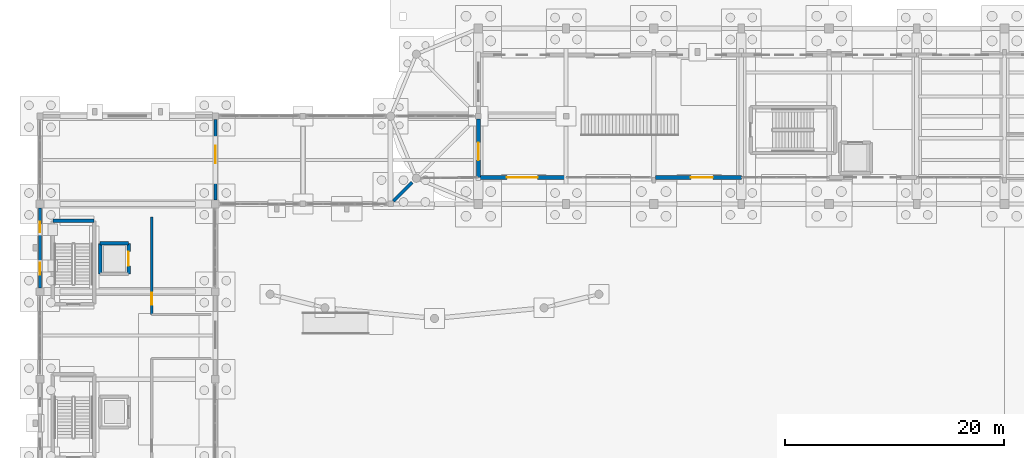
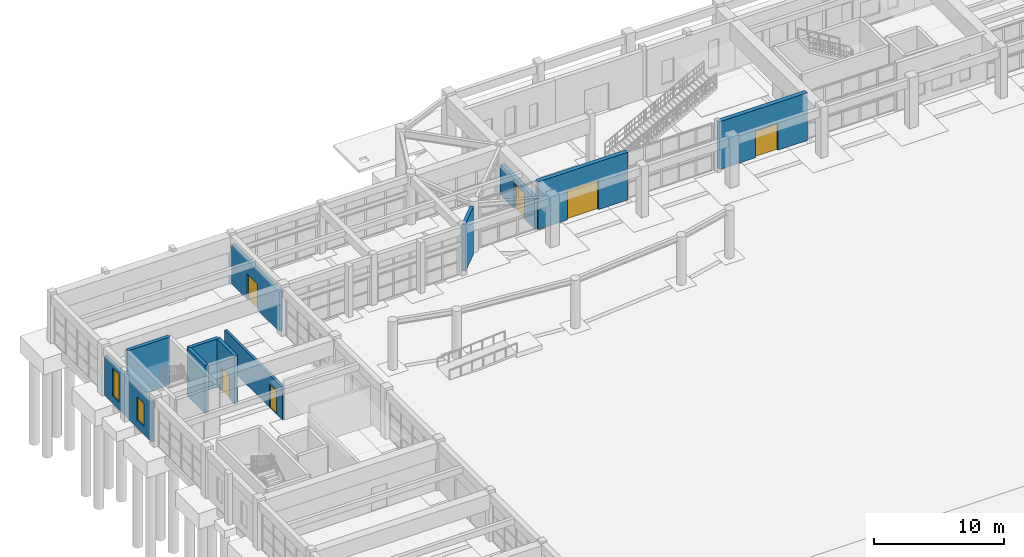
# One storey, part 44 of 68: 11 walls, 6 doors, 2 windows, 8 openings.
"""IFC4 building model written with IfcOpenShell, lengths in metres."""

from ifc_helpers import new_model, si_unit, direction, frame, frame_2d, origin, place, context, subcontext, project, spatial, rectangle, extrude, material, layer, layer_set, type_object, element, fill, save


model = new_model("IFC4")

# Units and contexts
model_context = context("Model", 3, precision=1e-05, world=origin(), true_north=direction((0.0, 1.0)))
body_context = subcontext(model_context, "Body", "Model", "MODEL_VIEW")
ifc_project = project(units=[si_unit("LENGTHUNIT", "METRE"), si_unit("AREAUNIT", "SQUARE_METRE"), si_unit("VOLUMEUNIT", "CUBIC_METRE"), si_unit("PLANEANGLEUNIT", "RADIAN"), si_unit("MASSUNIT", "GRAM", prefix="KILO")], contexts=[model_context])

# Site, building, storey
site_placement = place(None, origin())
site = spatial("IfcSite", under=ifc_project, at=site_placement, CompositionType="ELEMENT")
building_placement = place(site_placement, origin())
building = spatial("IfcBuilding", under=site, at=building_placement, Name="Serraluz Foothill Cableway Terminal", CompositionType="ELEMENT")
storey_placement = place(building_placement, origin())
storey = spatial("IfcBuildingStorey", under=building, at=storey_placement, Name="L00", CompositionType="ELEMENT", Elevation=0.0)

# Wall, openings, windows
ifc_material_1 = material(Name="Fired clay masonry brick (f'm 12 MPa)", Category="masonry")
ifc_layer_1 = layer(ifc_material_1, 0.260009765625, Name="Fired clay masonry brick (f'm 12 MPa)", Category="masonry")
ifc_layer_set_1 = layer_set([ifc_layer_1], Name="Fired clay masonry brick (f'm 12 MPa)")
wall_type_1 = type_object("IfcWallType", Name="TYP-WL-EXT-260", PredefinedType="STANDARD", material=ifc_layer_set_1)
wall_1_placement = place(storey_placement, frame((0.0, 48.35009765625, 0.0), z_axis=(0.0, 0.0, 1.0), x_axis=(0.0, 1.0, 0.0)))
wall_1 = element("IfcWall", 1, at=wall_1_placement, inside=storey, type_object=wall_type_1, Name="Exterior Masonry Wall EW-V5W-L00-48", PredefinedType="STANDARD", context=body_context, shape_type="SweptSolid", body=[
    extrude(rectangle(XDim=7.2998046875, YDim=0.260009765625, at=frame_2d((3.64990234375, 0.0))), origin(), (0.0, 0.0, 1.0), 3.739990234375),
])
opening_1_placement = place(wall_1_placement, frame((1.201904296875, 0.0, 0.719970703125)))
opening_1 = element("IfcOpeningElement", 2, at=opening_1_placement, cuts=wall_1, Name="Opening W-04", PredefinedType="OPENING", context=body_context, shape_type="SweptSolid", body=[
    extrude(rectangle(XDim=1.10009765625, YDim=2.199951171875, at=frame_2d((0.550048828125, 1.10009765625))), frame((0.0, 0.14013671875, 0.0), z_axis=(0.0, -1.0, 0.0), x_axis=(1.0, 0.0, 0.0)), (0.0, 0.0, 1.0), 0.280029296875),
])
opening_2_placement = place(wall_1_placement, frame((5.072998046875, 0.0, 0.719970703125)))
opening_2 = element("IfcOpeningElement", 3, at=opening_2_placement, cuts=wall_1, Name="Opening W-03", PredefinedType="OPENING", context=body_context, shape_type="SweptSolid", body=[
    extrude(rectangle(XDim=0.949951171875, YDim=2.60009765625, at=frame_2d((0.47509765625, 1.300048828125))), frame((0.0, 0.14013671875, 0.0), z_axis=(0.0, -1.0, 0.0), x_axis=(1.0, 0.0, 0.0)), (0.0, 0.0, 1.0), 0.280029296875),
])
ifc_material_2 = material(Name="Laminated low-E safety glass", Category="glass")
window_type_1 = type_object("IfcWindowType", Name="TYP-WN-095X260", PartitioningType="SINGLE_PANEL", PredefinedType="WINDOW", material=ifc_material_2)
window_1_placement = place(opening_2_placement, origin())
window_1 = element("IfcWindow", 4, at=window_1_placement, inside=storey, type_object=window_type_1, Name="Exterior Window EW-V5W-L00-48-WN3", OverallHeight=2.60009765625, OverallWidth=0.949951171875, PartitioningType="SINGLE_PANEL", PredefinedType="WINDOW", context=body_context, shape_type="SweptSolid", body=[
    extrude(rectangle(XDim=0.949951171875, YDim=2.60009765625, at=frame_2d((0.47509765625, 1.300048828125))), frame((0.0, 0.030029296875, 0.0), z_axis=(0.0, -1.0, 0.0), x_axis=(1.0, 0.0, 0.0)), (0.0, 0.0, 1.0), 0.06005859375),
])
fill(opening_2, window_1)
window_type_2 = type_object("IfcWindowType", Name="TYP-WN-110X220", PartitioningType="SINGLE_PANEL", PredefinedType="WINDOW", material=ifc_material_2)
window_2_placement = place(opening_1_placement, origin())
window_2 = element("IfcWindow", 5, at=window_2_placement, inside=storey, type_object=window_type_2, Name="Exterior Window EW-V5W-L00-48-WN1", OverallHeight=2.199951171875, OverallWidth=1.10009765625, PartitioningType="SINGLE_PANEL", PredefinedType="WINDOW", context=body_context, shape_type="SweptSolid", body=[
    extrude(rectangle(XDim=1.10009765625, YDim=2.199951171875, at=frame_2d((0.550048828125, 1.10009765625))), frame((0.0, 0.030029296875, 0.0), z_axis=(0.0, -1.0, 0.0), x_axis=(1.0, 0.0, 0.0)), (0.0, 0.0, 1.0), 0.06005859375),
])
fill(opening_1, window_2)

# Wall, opening, door
ifc_layer_2 = layer(ifc_material_1, 0.280029296875, Name="Fired clay masonry brick (f'm 12 MPa)", Category="masonry")
ifc_layer_set_2 = layer_set([ifc_layer_2], Name="Fired clay masonry brick (f'm 12 MPa)")
wall_type_2 = type_object("IfcWallType", Name="TYP-WL-EXT-280", PredefinedType="STANDARD", material=ifc_layer_set_2)
wall_2_placement = place(storey_placement, frame((16.0, 63.72509765625, 0.0), z_axis=(0.0, 0.0, 1.0), x_axis=(0.0, -1.0, 0.0)))
wall_2 = element("IfcWall", 6, at=wall_2_placement, inside=storey, type_object=wall_type_2, Name="Exterior Masonry Wall EW-V5E-L00-56", PredefinedType="STANDARD", context=body_context, shape_type="SweptSolid", body=[
    extrude(rectangle(XDim=7.375, YDim=0.280029296875, at=frame_2d((3.6875, 0.0))), origin(), (0.0, 0.0, 1.0), 3.739990234375),
])
opening_3_placement = place(wall_2_placement, frame((2.39990234375, 0.0, 0.0)))
opening_3 = element("IfcOpeningElement", 7, at=opening_3_placement, cuts=wall_2, Name="Opening DT-03", PredefinedType="OPENING", context=body_context, shape_type="SweptSolid", body=[
    extrude(rectangle(XDim=1.60009765625, YDim=2.39990234375, at=frame_2d((0.800048828125, 1.199951171875))), frame((0.0, 0.14990234375, 0.0), z_axis=(0.0, -1.0, 0.0), x_axis=(1.0, 0.0, 0.0)), (0.0, 0.0, 1.0), 0.300048828125),
])
ifc_material_3 = material(Name="Architectural bronze alloy C28000", Category="aluminium")
door_type_1 = type_object("IfcDoorType", Name="TYP-DR-TER-1600", OperationType="DOUBLE_DOOR_SINGLE_SWING", PredefinedType="DOOR", material=ifc_material_3)
door_1_placement = place(opening_3_placement, origin())
door_1 = element("IfcDoor", 8, at=door_1_placement, inside=storey, type_object=door_type_1, Name="West Bridge V5 Door L00", OperationType="DOUBLE_DOOR_SINGLE_SWING", OverallHeight=2.39990234375, OverallWidth=1.60009765625, PredefinedType="DOOR", context=body_context, shape_type="SweptSolid", body=[
    extrude(rectangle(XDim=1.60009765625, YDim=2.39990234375, at=frame_2d((0.800048828125, 1.199951171875))), frame((0.0, 0.02490234375, 0.0), z_axis=(0.0, -1.0, 0.0), x_axis=(1.0, 0.0, 0.0)), (0.0, 0.0, 1.0), 0.050048828125),
])
fill(opening_3, door_1)

# Wall
wall_3_placement = place(storey_placement, frame((33.968017578125, 57.968017578125, 0.0), z_axis=(0.0, 0.0, 1.0), x_axis=(-0.707106781187, -0.707106781187, 0.0)))
element("IfcWall", 9, at=wall_3_placement, inside=storey, type_object=wall_type_2, Name="Exterior Masonry Wall EW-WLS-STEP-L00", PredefinedType="STANDARD", context=body_context, shape_type="SweptSolid", body=[
    extrude(rectangle(XDim=2.4296875, YDim=0.280029296875, at=frame_2d((1.21484375, 0.0))), origin(), (0.0, 0.0, 1.0), 4.5),
])

# Wall, opening, door
ifc_material_4 = material(Name="Dark clinker clay masonry brick (f'm 14 MPa)", Category="masonry")
ifc_layer_3 = layer(ifc_material_4, 0.3798828125, Name="Dark clinker clay masonry brick (f'm 14 MPa)", Category="masonry")
ifc_layer_set_3 = layer_set([ifc_layer_3], Name="Dark clinker clay masonry brick (f'm 14 MPa)")
wall_type_3 = type_object("IfcWallType", Name="TYP-WL-EXT-380", PredefinedType="STANDARD", material=ifc_layer_set_3)
wall_4_placement = place(storey_placement, frame((48.0, 58.39990234375, 0.0), z_axis=(0.0, 0.0, 1.0), x_axis=(-1.0, 0.0, 0.0)))
wall_4 = element("IfcWall", 10, at=wall_4_placement, inside=storey, type_object=wall_type_3, Name="Exterior Masonry Wall EW-V1S-L00-40", PredefinedType="STANDARD", context=body_context, shape_type="SweptSolid", body=[
    extrude(rectangle(XDim=8.0, YDim=0.3798828125, at=frame_2d((4.0, 0.0))), origin(), (0.0, 0.0, 1.0), 4.5),
])
opening_4_placement = place(wall_4_placement, frame((2.60009765625, 0.0, 0.0)))
opening_4 = element("IfcOpeningElement", 11, at=opening_4_placement, cuts=wall_4, Name="Opening DE-04", PredefinedType="OPENING", context=body_context, shape_type="SweptSolid", body=[
    extrude(rectangle(XDim=2.800048828125, YDim=2.800048828125, at=frame_2d((1.39990234375, 1.39990234375))), frame((0.0, 0.199951171875, 0.0), z_axis=(0.0, -1.0, 0.0), x_axis=(1.0, 0.0, 0.0)), (0.0, 0.0, 1.0), 0.39990234375),
])
door_type_2 = type_object("IfcDoorType", Name="TYP-DR-EX-2800", OperationType="DOUBLE_DOOR_SINGLE_SWING", PredefinedType="DOOR", material=ifc_material_3)
door_2_placement = place(opening_4_placement, origin())
door_2 = element("IfcDoor", 12, at=door_2_placement, inside=storey, type_object=door_type_2, Name="Main pedestrian exit door D-EX01", OperationType="DOUBLE_DOOR_SINGLE_SWING", OverallHeight=2.800048828125, OverallWidth=2.800048828125, PredefinedType="DOOR", context=body_context, shape_type="SweptSolid", body=[
    extrude(rectangle(XDim=2.800048828125, YDim=2.800048828125, at=frame_2d((1.39990234375, 1.39990234375))), frame((0.0, 0.02490234375, 0.0), z_axis=(0.0, -1.0, 0.0), x_axis=(1.0, 0.0, 0.0)), (0.0, 0.0, 1.0), 0.050048828125),
])
fill(opening_4, door_2)

wall_5_placement = place(storey_placement, frame((64.0, 58.39990234375, 0.0), z_axis=(0.0, 0.0, 1.0), x_axis=(-1.0, 0.0, 0.0)))
wall_5 = element("IfcWall", 13, at=wall_5_placement, inside=storey, type_object=wall_type_3, Name="Exterior Masonry Wall EW-V1S-L00-56", PredefinedType="STANDARD", context=body_context, shape_type="SweptSolid", body=[
    extrude(rectangle(XDim=7.824951171875, YDim=0.3798828125, at=frame_2d((3.91259765625, 0.0))), origin(), (0.0, 0.0, 1.0), 4.5),
])
opening_5_placement = place(wall_5_placement, frame((2.60009765625, 0.0, 0.0)))
opening_5 = element("IfcOpeningElement", 14, at=opening_5_placement, cuts=wall_5, Name="Opening DE-01", PredefinedType="OPENING", context=body_context, shape_type="SweptSolid", body=[
    extrude(rectangle(XDim=2.0, YDim=2.5, at=frame_2d((1.0, 1.25))), frame((0.0, 0.199951171875, 0.0), z_axis=(0.0, -1.0, 0.0), x_axis=(1.0, 0.0, 0.0)), (0.0, 0.0, 1.0), 0.39990234375),
])
door_type_3 = type_object("IfcDoorType", Name="TYP-DR-EX-2000", OperationType="DOUBLE_DOOR_SINGLE_SWING", PredefinedType="DOOR", material=ifc_material_3)
door_3_placement = place(opening_5_placement, origin())
door_3 = element("IfcDoor", 15, at=door_3_placement, inside=storey, type_object=door_type_3, Name="Main pedestrian exit door D-EX03", OperationType="DOUBLE_DOOR_SINGLE_SWING", OverallHeight=2.5, OverallWidth=2.0, PredefinedType="DOOR", context=body_context, shape_type="SweptSolid", body=[
    extrude(rectangle(XDim=2.0, YDim=2.5, at=frame_2d((1.0, 1.25))), frame((0.0, 0.02490234375, 0.0), z_axis=(0.0, -1.0, 0.0), x_axis=(1.0, 0.0, 0.0)), (0.0, 0.0, 1.0), 0.050048828125),
])
fill(opening_5, door_3)

wall_6_placement = place(storey_placement, frame((40.0, 58.39990234375, 0.0), z_axis=(0.0, 0.0, 1.0), x_axis=(0.0, 1.0, 0.0)))
wall_6 = element("IfcWall", 16, at=wall_6_placement, inside=storey, type_object=wall_type_3, Name="Exterior Masonry Wall EW-V1W-L00-S", PredefinedType="STANDARD", context=body_context, shape_type="SweptSolid", body=[
    extrude(rectangle(XDim=5.35009765625, YDim=0.3798828125, at=frame_2d((2.675048828125, 0.0))), origin(), (0.0, 0.0, 1.0), 2.85009765625),
])
opening_6_placement = place(wall_6_placement, frame((1.60009765625, 0.0, 0.0)))
opening_6 = element("IfcOpeningElement", 17, at=opening_6_placement, cuts=wall_6, Name="Opening DT-03", PredefinedType="OPENING", context=body_context, shape_type="SweptSolid", body=[
    extrude(rectangle(XDim=1.60009765625, YDim=2.39990234375, at=frame_2d((0.800048828125, 1.199951171875))), frame((0.0, 0.199951171875, 0.0), z_axis=(0.0, -1.0, 0.0), x_axis=(1.0, 0.0, 0.0)), (0.0, 0.0, 1.0), 0.39990234375),
])
door_4_placement = place(opening_6_placement, origin())
door_4 = element("IfcDoor", 18, at=door_4_placement, inside=storey, type_object=door_type_1, Name="West Bridge V1 Door L00", OperationType="DOUBLE_DOOR_SINGLE_SWING", OverallHeight=2.39990234375, OverallWidth=1.60009765625, PredefinedType="DOOR", context=body_context, shape_type="SweptSolid", body=[
    extrude(rectangle(XDim=1.60009765625, YDim=2.39990234375, at=frame_2d((0.800048828125, 1.199951171875))), frame((0.0, 0.02490234375, 0.0), z_axis=(0.0, -1.0, 0.0), x_axis=(1.0, 0.0, 0.0)), (0.0, 0.0, 1.0), 0.050048828125),
])
fill(opening_6, door_4)

ifc_material_5 = material(Name="Concrete C28/35 (f'c 28 MPa)", Category="concrete")
ifc_layer_4 = layer(ifc_material_5, 0.219970703125, Name="Concrete C28/35 (f'c 28 MPa)", Category="concrete")
ifc_layer_set_4 = layer_set([ifc_layer_4], Name="Concrete C28/35 (f'c 28 MPa)")
wall_type_4 = type_object("IfcWallType", Name="TYP-WL-PRT-220", PredefinedType="PARTITIONING", material=ifc_layer_set_4)
wall_7_placement = place(storey_placement, frame((10.199951171875, 45.89990234375, 0.0), z_axis=(0.0, 0.0, 1.0), x_axis=(0.0, 1.0, 0.0)))
wall_7 = element("IfcWall", 19, at=wall_7_placement, inside=storey, type_object=wall_type_4, Name="Interior Partition PT-L00-24EN", PredefinedType="PARTITIONING", context=body_context, shape_type="SweptSolid", body=[
    extrude(rectangle(XDim=8.900146484375, YDim=0.219970703125, at=frame_2d((4.4501953125, 0.0))), origin(), (0.0, 0.0, 1.0), 3.08203125),
])
opening_7_placement = place(wall_7_placement, frame((0.89990234375, 0.0, 0.0)))
opening_7 = element("IfcOpeningElement", 20, at=opening_7_placement, cuts=wall_7, Name="Opening DF-07", PredefinedType="OPENING", context=body_context, shape_type="SweptSolid", body=[
    extrude(rectangle(XDim=1.10009765625, YDim=2.199951171875, at=frame_2d((0.550048828125, 1.10009765625))), frame((0.0, 0.1201171875, 0.0), z_axis=(0.0, -1.0, 0.0), x_axis=(1.0, 0.0, 0.0)), (0.0, 0.0, 1.0), 0.239990234375),
])
ifc_material_6 = material(Name="Galvanized hollow-metal steel sheet", Category="steel")
door_type_4 = type_object("IfcDoorType", Name="TYP-DR-FD60-1100", OperationType="NOTDEFINED", PredefinedType="DOOR", material=ifc_material_6)
door_5_placement = place(opening_7_placement, origin())
door_5 = element("IfcDoor", 21, at=door_5_placement, inside=storey, type_object=door_type_4, Name="Interior Door PT-L00-24EN-DR1", OperationType="SINGLE_SWING_LEFT", OverallHeight=2.199951171875, OverallWidth=1.10009765625, PredefinedType="DOOR", context=body_context, shape_type="SweptSolid", body=[
    extrude(rectangle(XDim=1.10009765625, YDim=2.199951171875, at=frame_2d((0.550048828125, 1.10009765625))), frame((0.0, 0.02490234375, 0.0), z_axis=(0.0, -1.0, 0.0), x_axis=(1.0, 0.0, 0.0)), (0.0, 0.0, 1.0), 0.050048828125),
])
fill(opening_7, door_5)

# Walls
ifc_material_7 = material(Name="Concrete C35/45 (f'c 35 MPa)", Category="concrete")
ifc_layer_5 = layer(ifc_material_7, 0.300048828125, Name="Concrete C35/45 (f'c 35 MPa)", Category="concrete")
ifc_layer_set_5 = layer_set([ifc_layer_5], Name="Concrete C35/45 (f'c 35 MPa)")
wall_type_5 = type_object("IfcWallType", Name="TYP-WL-SHR-350", PredefinedType="SHEAR", material=ifc_layer_set_5)
wall_8_placement = place(storey_placement, frame((1.169921875, 54.4599609375, 0.0), z_axis=(0.0, 0.0, 1.0), x_axis=(1.0, 0.0, 0.0)))
element("IfcWall", 22, at=wall_8_placement, inside=storey, type_object=wall_type_5, Name="Stair Core Shear Wall CW-ST-01-L00-N", PredefinedType="SHEAR", context=body_context, shape_type="SweptSolid", body=[
    extrude(rectangle(XDim=3.780029296875, YDim=0.300048828125, at=frame_2d((1.89013671875, 0.0))), origin(), (0.0, 0.0, 1.0), 4.5400390625),
])
wall_9_placement = place(storey_placement, frame((5.5, 49.60009765625, 0.0), z_axis=(0.0, 0.0, 1.0), x_axis=(0.0, 1.0, 0.0)))
element("IfcWall", 23, at=wall_9_placement, inside=storey, type_object=wall_type_5, Name="Lift Shaft Shear Wall LW-LF-01-L00-W", PredefinedType="SHEAR", context=body_context, shape_type="SweptSolid", body=[
    extrude(rectangle(XDim=2.7998046875, YDim=0.300048828125, at=frame_2d((1.39990234375, 0.0))), origin(), (0.0, 0.0, 1.0), 4.5400390625),
])
wall_10_placement = place(storey_placement, frame((5.5, 52.39990234375, 0.0), z_axis=(0.0, 0.0, 1.0), x_axis=(1.0, 0.0, 0.0)))
element("IfcWall", 24, at=wall_10_placement, inside=storey, type_object=wall_type_5, Name="Lift Shaft Shear Wall LW-LF-01-L00-N", PredefinedType="SHEAR", context=body_context, shape_type="SweptSolid", body=[
    extrude(rectangle(XDim=2.60009765625, YDim=0.300048828125, at=frame_2d((1.300048828125, 0.0))), origin(), (0.0, 0.0, 1.0), 4.5400390625),
])

# Wall, opening, door
wall_11_placement = place(storey_placement, frame((8.10009765625, 52.39990234375, 0.0), z_axis=(0.0, 0.0, 1.0), x_axis=(0.0, -1.0, 0.0)))
wall_11 = element("IfcWall", 25, at=wall_11_placement, inside=storey, type_object=wall_type_5, Name="Lift Shaft Shear Wall LW-LF-01-L00-E", PredefinedType="SHEAR", context=body_context, shape_type="SweptSolid", body=[
    extrude(rectangle(XDim=2.7998046875, YDim=0.300048828125, at=frame_2d((1.39990234375, 0.0))), origin(), (0.0, 0.0, 1.0), 4.5400390625),
])
opening_8_placement = place(wall_11_placement, frame((0.75, 0.0, 0.0)))
opening_8 = element("IfcOpeningElement", 26, at=opening_8_placement, cuts=wall_11, Name="Opening LD-02", PredefinedType="OPENING", context=body_context, shape_type="SweptSolid", body=[
    extrude(rectangle(XDim=1.300048828125, YDim=2.25, at=frame_2d((0.64990234375, 1.125))), frame((0.0, 0.16015625, 0.0), z_axis=(0.0, -1.0, 0.0), x_axis=(1.0, 0.0, 0.0)), (0.0, 0.0, 1.0), 0.320068359375),
])
door_type_5 = type_object("IfcDoorType", Name="TYP-DR-LD-1300", OperationType="DOUBLE_DOOR_SLIDING", PredefinedType="DOOR", material=ifc_material_6)
door_6_placement = place(opening_8_placement, origin())
door_6 = element("IfcDoor", 27, at=door_6_placement, inside=storey, type_object=door_type_5, Name="Lift Sliding Landing Door LF-01 L00", OperationType="DOUBLE_DOOR_SLIDING", OverallHeight=2.25, OverallWidth=1.300048828125, PredefinedType="DOOR", context=body_context, shape_type="SweptSolid", body=[
    extrude(rectangle(XDim=1.300048828125, YDim=2.25, at=frame_2d((0.64990234375, 1.125))), frame((0.0, 0.02490234375, 0.0), z_axis=(0.0, -1.0, 0.0), x_axis=(1.0, 0.0, 0.0)), (0.0, 0.0, 1.0), 0.050048828125),
])
fill(opening_8, door_6)

save(model, "model.ifc")
